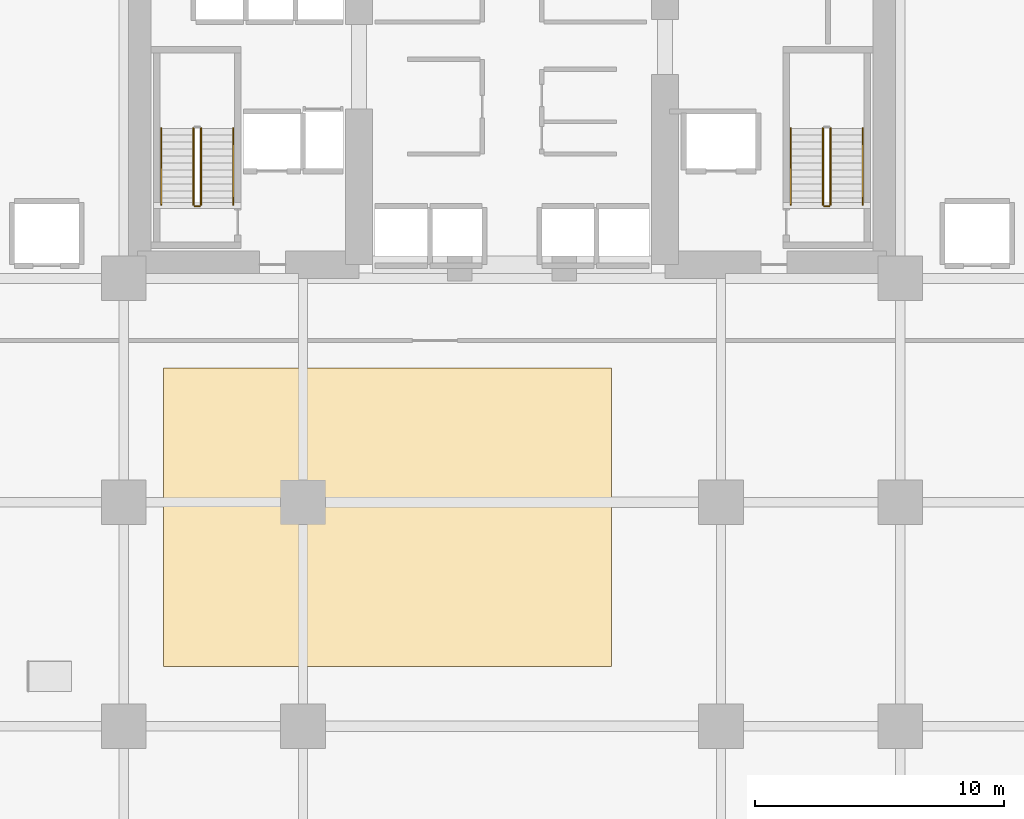
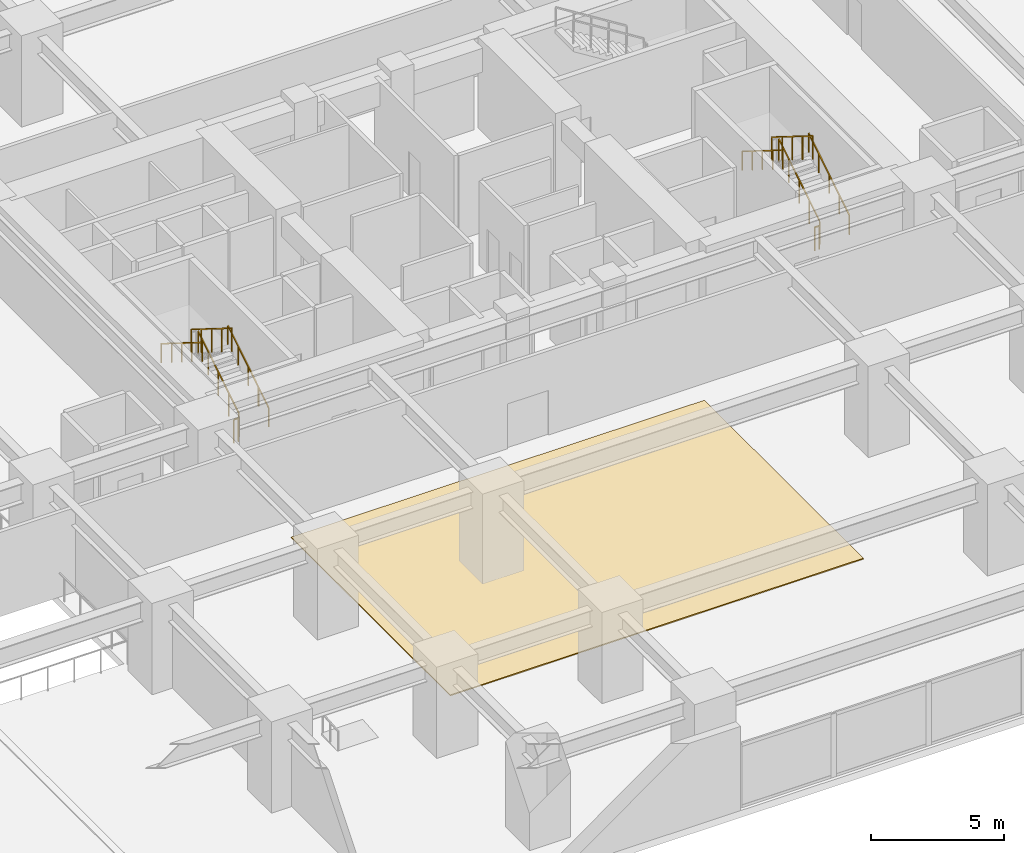
# One storey, part 16 of 22: 10 railings, 1 covering.
"""IFC4 building model written with IfcOpenShell, lengths in metres."""

from ifc_helpers import new_model, si_unit, direction, frame, origin, origin_2d, place, context, subcontext, project, spatial, polyline, rectangle, outline, extrude, material, layer, layer_set, type_object, element, save


model = new_model("IFC4")

# Units and contexts
model_context = context("Model", 3, precision=1e-05, world=origin(), true_north=direction((0.0, 1.0)))
body_context = subcontext(model_context, "Body", "Model", "MODEL_VIEW")
ifc_project = project(units=[si_unit("LENGTHUNIT", "METRE"), si_unit("AREAUNIT", "SQUARE_METRE"), si_unit("VOLUMEUNIT", "CUBIC_METRE"), si_unit("PLANEANGLEUNIT", "RADIAN"), si_unit("MASSUNIT", "GRAM", prefix="KILO")], contexts=[model_context])

# Site, building, storey
site_placement = place(None, origin())
site = spatial("IfcSite", under=ifc_project, at=site_placement, CompositionType="ELEMENT")
building_placement = place(site_placement, origin())
building = spatial("IfcBuilding", under=site, at=building_placement, Name="Kiyonajd Concourse Tower", CompositionType="ELEMENT")
storey_placement = place(building_placement, frame((0.0, 0.0, 8.699951171875)))
storey = spatial("IfcBuildingStorey", under=building, at=storey_placement, Name="L03", CompositionType="ELEMENT", Elevation=8.699951171875)

# Covering
ifc_material_1 = material(Name="Riyadh Jubaila Limestone", Category="masonry")
ifc_layer = layer(ifc_material_1, 0.050048828125)
ifc_layer_set = layer_set([ifc_layer], Name="Riyadh Jubaila Limestone")
covering_type = type_object("IfcCoveringType", Name="CV-FLR-RAISED", PredefinedType="FLOORING", material=ifc_layer_set)
covering_placement = place(storey_placement, origin())
element("IfcCovering", 1, at=covering_placement, inside=storey, type_object=covering_type, Name="L03 Limestone Floor Finish", PredefinedType="FLOORING", context=body_context, shape_type="SweptSolid", body=[
    extrude(outline(polyline([(34.0, 12.0), (52.0, 12.0), (52.0, 24.0), (34.0, 24.0), (34.0, 12.0)])), origin(), (0.0, 0.0, 1.0), 0.050048828125),
])

# Railings
ifc_material_2 = material(Name="Steel ASTM A500 Grade C", Category="steel")
railing_type_1 = type_object("IfcRailingType", Name="RL-GRD-STR", PredefinedType="GUARDRAIL", material=ifc_material_2)
railing_1_placement = place(storey_placement, frame((35.5, 30.550048828125, 0.175048828125)))
element("IfcRailing", 2, at=railing_1_placement, inside=storey, type_object=railing_type_1, Name="L03 ST1 stair guard 1", PredefinedType="GUARDRAIL", context=body_context, shape_type="SweptSolid", body=[
    extrude(rectangle(XDim=0.048095703125, YDim=0.048095703125, at=origin_2d()), frame((0.0, 0.0, 1.076171875), z_axis=(0.0, 0.847979421464, 0.530029150871), x_axis=(-1.0, 0.0, 0.0)), (0.0, 0.0, 1.0), 3.632080078125),
    extrude(rectangle(XDim=0.0419921875, YDim=0.0419921875, at=origin_2d()), origin(), (0.0, 0.0, 1.0), 1.052001953125),
    extrude(rectangle(XDim=0.0419921875, YDim=0.0419921875, at=origin_2d()), frame((0.0, 0.77001953125, 0.481201171875)), (0.0, 0.0, 1.0), 1.052001953125),
    extrude(rectangle(XDim=0.0419921875, YDim=0.0419921875, at=origin_2d()), frame((0.0, 1.5400390625, 0.96240234375)), (0.0, 0.0, 1.0), 1.052001953125),
    extrude(rectangle(XDim=0.0419921875, YDim=0.0419921875, at=origin_2d()), frame((0.0, 2.309814453125, 1.44384765625)), (0.0, 0.0, 1.0), 1.052001953125),
    extrude(rectangle(XDim=0.0419921875, YDim=0.0419921875, at=origin_2d()), frame((0.0, 3.079833984375, 1.925048828125)), (0.0, 0.0, 1.0), 1.052001953125),
])
railing_2_placement = place(storey_placement, frame((35.199951171875, 33.6298828125, 2.275146484375)))
element("IfcRailing", 3, at=railing_2_placement, inside=storey, type_object=railing_type_1, Name="L03 ST1 stair guard 3", PredefinedType="GUARDRAIL", context=body_context, shape_type="SweptSolid", body=[
    extrude(rectangle(XDim=0.048095703125, YDim=0.048095703125, at=origin_2d()), frame((0.0, 0.0, 1.076171875), z_axis=(0.0, -0.848009633417, 0.529980812513), x_axis=(1.0, 0.0, 0.0)), (0.0, 0.0, 1.0), 3.6318359375),
    extrude(rectangle(XDim=0.0419921875, YDim=0.0419921875, at=origin_2d()), origin(), (0.0, 0.0, 1.0), 1.052001953125),
    extrude(rectangle(XDim=0.0419921875, YDim=0.0419921875, at=origin_2d()), frame((0.0, -0.77001953125, 0.481201171875)), (0.0, 0.0, 1.0), 1.052001953125),
    extrude(rectangle(XDim=0.0419921875, YDim=0.0419921875, at=origin_2d()), frame((0.0, -1.5400390625, 0.96240234375)), (0.0, 0.0, 1.0), 1.052001953125),
    extrude(rectangle(XDim=0.0419921875, YDim=0.0419921875, at=origin_2d()), frame((0.0, -2.309814453125, 1.443603515625)), (0.0, 0.0, 1.0), 1.052001953125),
    extrude(rectangle(XDim=0.0419921875, YDim=0.0419921875, at=origin_2d()), frame((0.0, -3.079833984375, 1.9248046875)), (0.0, 0.0, 1.0), 1.052001953125),
])
railing_3_placement = place(storey_placement, frame((35.449951171875, 30.5, 0.0)))
element("IfcRailing", 4, at=railing_3_placement, inside=storey, type_object=railing_type_1, Name="L03 ST1 stair guard 4", PredefinedType="GUARDRAIL", context=body_context, shape_type="SweptSolid", body=[
    extrude(rectangle(XDim=0.048095703125, YDim=0.048095703125, at=origin_2d()), frame((0.0, 0.0, 1.076171875), z_axis=(-1.0, 0.0, 0.0), x_axis=(0.0, -1.0, 0.0)), (0.0, 0.0, 1.0), 0.199951171875),
    extrude(rectangle(XDim=0.0419921875, YDim=0.0419921875, at=origin_2d()), origin(), (0.0, 0.0, 1.0), 1.052001953125),
    extrude(rectangle(XDim=0.0419921875, YDim=0.0419921875, at=origin_2d()), frame((-0.199951171875, 0.0, 0.0)), (0.0, 0.0, 1.0), 1.052001953125),
])
railing_4_placement = place(storey_placement, frame((60.800048828125, 30.550048828125, 0.175048828125)))
element("IfcRailing", 5, at=railing_4_placement, inside=storey, type_object=railing_type_1, Name="L03 ST2 stair guard 1", PredefinedType="GUARDRAIL", context=body_context, shape_type="SweptSolid", body=[
    extrude(rectangle(XDim=0.048095703125, YDim=0.048095703125, at=origin_2d()), frame((0.0, 0.0, 1.076171875), z_axis=(0.0, 0.847979421464, 0.530029150871), x_axis=(-1.0, 0.0, 0.0)), (0.0, 0.0, 1.0), 3.632080078125),
    extrude(rectangle(XDim=0.0419921875, YDim=0.0419921875, at=origin_2d()), origin(), (0.0, 0.0, 1.0), 1.052001953125),
    extrude(rectangle(XDim=0.0419921875, YDim=0.0419921875, at=origin_2d()), frame((0.0, 0.77001953125, 0.481201171875)), (0.0, 0.0, 1.0), 1.052001953125),
    extrude(rectangle(XDim=0.0419921875, YDim=0.0419921875, at=origin_2d()), frame((0.0, 1.5400390625, 0.96240234375)), (0.0, 0.0, 1.0), 1.052001953125),
    extrude(rectangle(XDim=0.0419921875, YDim=0.0419921875, at=origin_2d()), frame((0.0, 2.309814453125, 1.44384765625)), (0.0, 0.0, 1.0), 1.052001953125),
    extrude(rectangle(XDim=0.0419921875, YDim=0.0419921875, at=origin_2d()), frame((0.0, 3.079833984375, 1.925048828125)), (0.0, 0.0, 1.0), 1.052001953125),
])
railing_5_placement = place(storey_placement, frame((60.5, 33.6298828125, 2.275146484375)))
element("IfcRailing", 6, at=railing_5_placement, inside=storey, type_object=railing_type_1, Name="L03 ST2 stair guard 3", PredefinedType="GUARDRAIL", context=body_context, shape_type="SweptSolid", body=[
    extrude(rectangle(XDim=0.048095703125, YDim=0.048095703125, at=origin_2d()), frame((0.0, 0.0, 1.076171875), z_axis=(0.0, -0.848009633417, 0.529980812513), x_axis=(1.0, 0.0, 0.0)), (0.0, 0.0, 1.0), 3.6318359375),
    extrude(rectangle(XDim=0.0419921875, YDim=0.0419921875, at=origin_2d()), origin(), (0.0, 0.0, 1.0), 1.052001953125),
    extrude(rectangle(XDim=0.0419921875, YDim=0.0419921875, at=origin_2d()), frame((0.0, -0.77001953125, 0.481201171875)), (0.0, 0.0, 1.0), 1.052001953125),
    extrude(rectangle(XDim=0.0419921875, YDim=0.0419921875, at=origin_2d()), frame((0.0, -1.5400390625, 0.96240234375)), (0.0, 0.0, 1.0), 1.052001953125),
    extrude(rectangle(XDim=0.0419921875, YDim=0.0419921875, at=origin_2d()), frame((0.0, -2.309814453125, 1.443603515625)), (0.0, 0.0, 1.0), 1.052001953125),
    extrude(rectangle(XDim=0.0419921875, YDim=0.0419921875, at=origin_2d()), frame((0.0, -3.079833984375, 1.9248046875)), (0.0, 0.0, 1.0), 1.052001953125),
])
railing_6_placement = place(storey_placement, frame((60.75, 30.5, 0.0)))
element("IfcRailing", 7, at=railing_6_placement, inside=storey, type_object=railing_type_1, Name="L03 ST2 stair guard 4", PredefinedType="GUARDRAIL", context=body_context, shape_type="SweptSolid", body=[
    extrude(rectangle(XDim=0.048095703125, YDim=0.048095703125, at=origin_2d()), frame((0.0, 0.0, 1.076171875), z_axis=(-1.0, 0.0, 0.0), x_axis=(0.0, -1.0, 0.0)), (0.0, 0.0, 1.0), 0.199951171875),
    extrude(rectangle(XDim=0.0419921875, YDim=0.0419921875, at=origin_2d()), origin(), (0.0, 0.0, 1.0), 1.052001953125),
    extrude(rectangle(XDim=0.0419921875, YDim=0.0419921875, at=origin_2d()), frame((-0.199951171875, 0.0, 0.0)), (0.0, 0.0, 1.0), 1.052001953125),
])
ifc_material_3 = material(Name="Brushed Stainless Steel Cab Assembly", Category="steel")
railing_type_2 = type_object("IfcRailingType", Name="RL-HND-900", PredefinedType="HANDRAIL", material=ifc_material_3)
railing_7_placement = place(storey_placement, frame((36.800048828125, 30.550048828125, 0.175048828125)))
element("IfcRailing", 8, at=railing_7_placement, inside=storey, type_object=railing_type_2, Name="L03 ST1 stair handrail 1", PredefinedType="HANDRAIL", context=body_context, shape_type="SweptSolid", body=[
    extrude(rectangle(XDim=0.048095703125, YDim=0.048095703125, at=origin_2d()), frame((0.0, 0.0, 0.8759765625), z_axis=(0.0, 0.847979421464, 0.530029150871), x_axis=(-1.0, 0.0, 0.0)), (0.0, 0.0, 1.0), 3.632080078125),
    extrude(rectangle(XDim=0.0419921875, YDim=0.0419921875, at=origin_2d()), origin(), (0.0, 0.0, 1.0), 0.851806640625),
    extrude(rectangle(XDim=0.0419921875, YDim=0.0419921875, at=origin_2d()), frame((0.0, 0.77001953125, 0.481201171875)), (0.0, 0.0, 1.0), 0.851806640625),
    extrude(rectangle(XDim=0.0419921875, YDim=0.0419921875, at=origin_2d()), frame((0.0, 1.5400390625, 0.96240234375)), (0.0, 0.0, 1.0), 0.851806640625),
    extrude(rectangle(XDim=0.0419921875, YDim=0.0419921875, at=origin_2d()), frame((0.0, 2.309814453125, 1.44384765625)), (0.0, 0.0, 1.0), 0.851806640625),
    extrude(rectangle(XDim=0.0419921875, YDim=0.0419921875, at=origin_2d()), frame((0.0, 3.079833984375, 1.925048828125)), (0.0, 0.0, 1.0), 0.851806640625),
])
railing_8_placement = place(storey_placement, frame((33.89990234375, 33.6298828125, 2.275146484375)))
element("IfcRailing", 9, at=railing_8_placement, inside=storey, type_object=railing_type_2, Name="L03 ST1 stair handrail 2", PredefinedType="HANDRAIL", context=body_context, shape_type="SweptSolid", body=[
    extrude(rectangle(XDim=0.048095703125, YDim=0.048095703125, at=origin_2d()), frame((0.0, 0.0, 0.8759765625), z_axis=(0.0, -0.848009633417, 0.529980812513), x_axis=(1.0, 0.0, 0.0)), (0.0, 0.0, 1.0), 3.6318359375),
    extrude(rectangle(XDim=0.0419921875, YDim=0.0419921875, at=origin_2d()), origin(), (0.0, 0.0, 1.0), 0.851806640625),
    extrude(rectangle(XDim=0.0419921875, YDim=0.0419921875, at=origin_2d()), frame((0.0, -0.77001953125, 0.481201171875)), (0.0, 0.0, 1.0), 0.851806640625),
    extrude(rectangle(XDim=0.0419921875, YDim=0.0419921875, at=origin_2d()), frame((0.0, -1.5400390625, 0.96240234375)), (0.0, 0.0, 1.0), 0.851806640625),
    extrude(rectangle(XDim=0.0419921875, YDim=0.0419921875, at=origin_2d()), frame((0.0, -2.309814453125, 1.443603515625)), (0.0, 0.0, 1.0), 0.851806640625),
    extrude(rectangle(XDim=0.0419921875, YDim=0.0419921875, at=origin_2d()), frame((0.0, -3.079833984375, 1.9248046875)), (0.0, 0.0, 1.0), 0.851806640625),
])
railing_9_placement = place(storey_placement, frame((62.10009765625, 30.550048828125, 0.175048828125)))
element("IfcRailing", 10, at=railing_9_placement, inside=storey, type_object=railing_type_2, Name="L03 ST2 stair handrail 1", PredefinedType="HANDRAIL", context=body_context, shape_type="SweptSolid", body=[
    extrude(rectangle(XDim=0.048095703125, YDim=0.048095703125, at=origin_2d()), frame((0.0, 0.0, 0.8759765625), z_axis=(0.0, 0.847979421464, 0.530029150871), x_axis=(-1.0, 0.0, 0.0)), (0.0, 0.0, 1.0), 3.632080078125),
    extrude(rectangle(XDim=0.0419921875, YDim=0.0419921875, at=origin_2d()), origin(), (0.0, 0.0, 1.0), 0.851806640625),
    extrude(rectangle(XDim=0.0419921875, YDim=0.0419921875, at=origin_2d()), frame((0.0, 0.77001953125, 0.481201171875)), (0.0, 0.0, 1.0), 0.851806640625),
    extrude(rectangle(XDim=0.0419921875, YDim=0.0419921875, at=origin_2d()), frame((0.0, 1.5400390625, 0.96240234375)), (0.0, 0.0, 1.0), 0.851806640625),
    extrude(rectangle(XDim=0.0419921875, YDim=0.0419921875, at=origin_2d()), frame((0.0, 2.309814453125, 1.44384765625)), (0.0, 0.0, 1.0), 0.851806640625),
    extrude(rectangle(XDim=0.0419921875, YDim=0.0419921875, at=origin_2d()), frame((0.0, 3.079833984375, 1.925048828125)), (0.0, 0.0, 1.0), 0.851806640625),
])
railing_10_placement = place(storey_placement, frame((59.199951171875, 33.6298828125, 2.275146484375)))
element("IfcRailing", 11, at=railing_10_placement, inside=storey, type_object=railing_type_2, Name="L03 ST2 stair handrail 2", PredefinedType="HANDRAIL", context=body_context, shape_type="SweptSolid", body=[
    extrude(rectangle(XDim=0.048095703125, YDim=0.048095703125, at=origin_2d()), frame((0.0, 0.0, 0.8759765625), z_axis=(0.0, -0.848009633417, 0.529980812513), x_axis=(1.0, 0.0, 0.0)), (0.0, 0.0, 1.0), 3.6318359375),
    extrude(rectangle(XDim=0.0419921875, YDim=0.0419921875, at=origin_2d()), origin(), (0.0, 0.0, 1.0), 0.851806640625),
    extrude(rectangle(XDim=0.0419921875, YDim=0.0419921875, at=origin_2d()), frame((0.0, -0.77001953125, 0.481201171875)), (0.0, 0.0, 1.0), 0.851806640625),
    extrude(rectangle(XDim=0.0419921875, YDim=0.0419921875, at=origin_2d()), frame((0.0, -1.5400390625, 0.96240234375)), (0.0, 0.0, 1.0), 0.851806640625),
    extrude(rectangle(XDim=0.0419921875, YDim=0.0419921875, at=origin_2d()), frame((0.0, -2.309814453125, 1.443603515625)), (0.0, 0.0, 1.0), 0.851806640625),
    extrude(rectangle(XDim=0.0419921875, YDim=0.0419921875, at=origin_2d()), frame((0.0, -3.079833984375, 1.9248046875)), (0.0, 0.0, 1.0), 0.851806640625),
])

save(model, "model.ifc")
